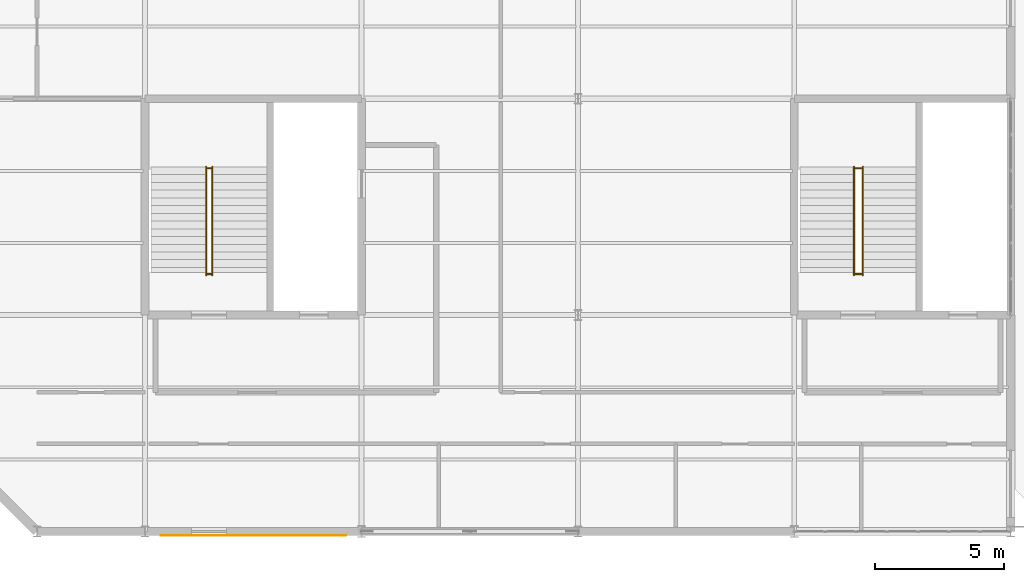
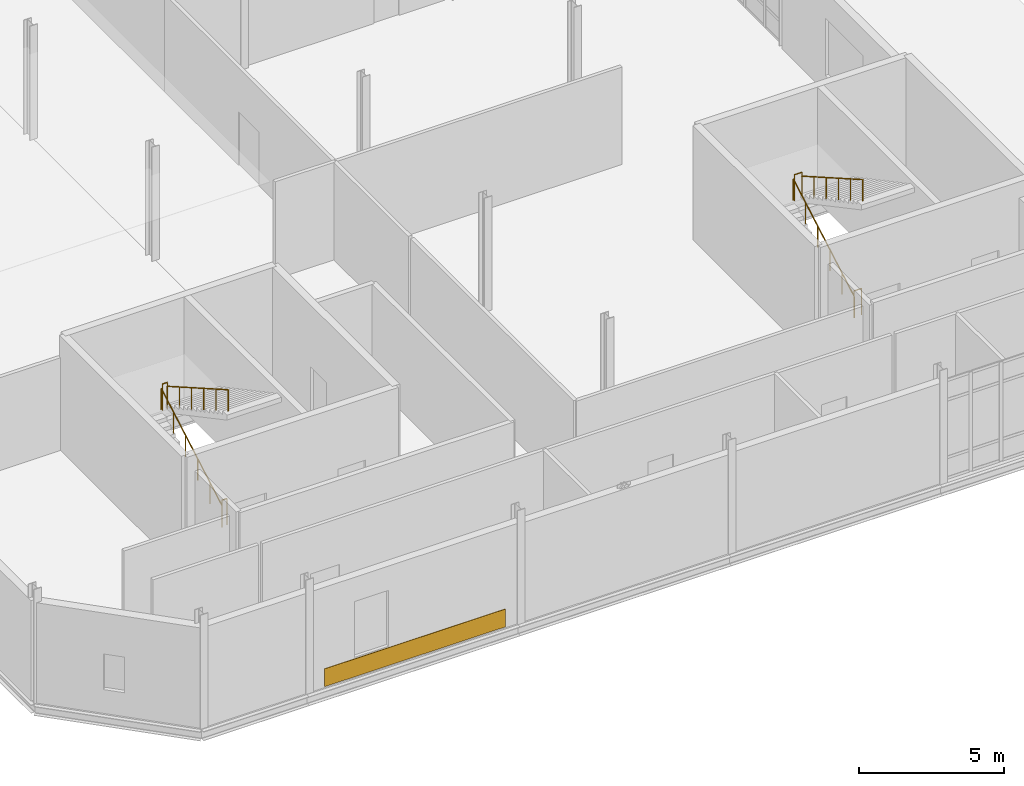
# One storey, part 27 of 28: 8 railings, 1 covering.
"""IFC4 building model written with IfcOpenShell, lengths in metres."""

from ifc_helpers import new_model, si_unit, direction, frame, origin, origin_2d, place, context, subcontext, project, spatial, rectangle, circle, extrude, material, layer, layer_set, type_object, element, save


model = new_model("IFC4")

# Units and contexts
model_context = context("Model", 3, precision=1e-05, world=origin(), true_north=direction((0.0, 1.0)))
body_context = subcontext(model_context, "Body", "Model", "MODEL_VIEW")
ifc_project = project(units=[si_unit("LENGTHUNIT", "METRE"), si_unit("AREAUNIT", "SQUARE_METRE"), si_unit("VOLUMEUNIT", "CUBIC_METRE"), si_unit("PLANEANGLEUNIT", "RADIAN"), si_unit("MASSUNIT", "GRAM", prefix="KILO")], contexts=[model_context])

# Site, building, storey
site_placement = place(None, origin())
site = spatial("IfcSite", under=ifc_project, at=site_placement, CompositionType="ELEMENT")
building_placement = place(site_placement, origin())
building = spatial("IfcBuilding", under=site, at=building_placement, Name="Qalvenar Corner Mobility Hub", CompositionType="ELEMENT")
storey_placement = place(building_placement, frame((0.0, 0.0, 21.60009765625)))
storey = spatial("IfcBuildingStorey", under=building, at=storey_placement, Name="L05", CompositionType="ELEMENT", Elevation=21.60009765625)

# Covering
ifc_material_1 = material(Name="Kashikari Glazed Turquoise Faience Tile Cladding", Category="masonry")
ifc_layer = layer(ifc_material_1, 0.034912109375)
ifc_layer_set = layer_set([ifc_layer], Name="Kashikari Glazed Turquoise Faience Tile Cladding")
covering_type = type_object("IfcCoveringType", Name="COV-CLAD-FAI", PredefinedType="CLADDING", material=ifc_layer_set)
covering_placement = place(storey_placement, frame((12.60009765625, -0.155029296875, 0.044921875), z_axis=(0.0, 0.0, 1.0), x_axis=(1.0, 0.0, 0.0)))
element("IfcCovering", 1, at=covering_placement, inside=storey, type_object=covering_type, Name="Kashikari Faience Spandrel V3-L05-S1", PredefinedType="CLADDING", context=body_context, shape_type="SweptSolid", body=[
    extrude(rectangle(XDim=7.199951171875, YDim=0.034912109375, at=origin_2d()), origin(), (0.0, 0.0, 1.0), 0.75),
])

# Railings
ifc_material_2 = material(Name="Art Nouveau Bronze-Finished Steel Balustrade", Category="steel")
railing_type_1 = type_object("IfcRailingType", Name="RL-GUARD-110", PredefinedType="GUARDRAIL", material=ifc_material_2)
for number, where, name in (
    (2, (10.7900390625, 10.0, 0.0), "Stair Arrival Slot Guard C1-L05"),
    (3, (10.7900390625, 14.10009765625, 2.39990234375), "Stair Half-Landing Well Guard ST1-L05"),
):
    element("IfcRailing", number, at=place(storey_placement, frame(where)), inside=storey, type_object=railing_type_1, Name=name, PredefinedType="GUARDRAIL", context=body_context, shape_type="SweptSolid", body=[
        extrude(circle(Radius=0.02392578125, at=origin_2d()), frame((0.0, 0.0, 1.09619140625), z_axis=(1.0, 0.0, 0.0), x_axis=(0.0, 1.0, 0.0)), (0.0, 0.0, 1.0), 0.199951171875),
        extrude(circle(Radius=0.02099609375, at=origin_2d()), origin(), (0.0, 0.0, 1.0), 1.072021484375),
        extrude(circle(Radius=0.02099609375, at=origin_2d()), frame((0.199951171875, 0.0, 0.0)), (0.0, 0.0, 1.0), 1.072021484375),
    ])
for number, where, name in (
    (4, (35.93994140625, 10.0, 0.0), "Stair Arrival Slot Guard C2-L05"),
    (5, (35.93994140625, 14.10009765625, 2.39990234375), "Stair Half-Landing Well Guard ST2-L05"),
):
    element("IfcRailing", number, at=place(storey_placement, frame(where)), inside=storey, type_object=railing_type_1, Name=name, PredefinedType="GUARDRAIL", context=body_context, shape_type="SweptSolid", body=[
        extrude(circle(Radius=0.02392578125, at=origin_2d()), frame((0.0, 0.0, 1.09619140625), z_axis=(1.0, 0.0, 0.0), x_axis=(0.0, 1.0, 0.0)), (0.0, 0.0, 1.0), 0.300048828125),
        extrude(circle(Radius=0.02099609375, at=origin_2d()), origin(), (0.0, 0.0, 1.0), 1.072021484375),
        extrude(circle(Radius=0.02099609375, at=origin_2d()), frame((0.300048828125, 0.0, 0.0)), (0.0, 0.0, 1.0), 1.072021484375),
    ])
ifc_material_3 = material(Name="Brushed Stainless Steel Handrail", Category="steel")
railing_type_2 = type_object("IfcRailingType", Name="RL-HAND-092", PredefinedType="HANDRAIL", material=ifc_material_3)
railing_1_placement = place(storey_placement, frame((10.77001953125, 9.949951171875, 0.0)))
element("IfcRailing", 6, at=railing_1_placement, inside=storey, type_object=railing_type_2, Name="Stair Handrail ST1-L05-1", PredefinedType="HANDRAIL", context=body_context, shape_type="SweptSolid", body=[
    extrude(circle(Radius=0.02392578125, at=origin_2d()), frame((0.0, 0.0, 0.89599609375), z_axis=(0.0, 0.868249353848, 0.496128067682), x_axis=(-1.0, 0.0, 0.0)), (0.0, 0.0, 1.0), 4.837158203125),
    extrude(circle(Radius=0.02099609375, at=origin_2d()), origin(), (0.0, 0.0, 1.0), 0.871826171875),
    extrude(circle(Radius=0.02099609375, at=origin_2d()), frame((0.0, 0.840087890625, 0.47998046875)), (0.0, 0.0, 1.0), 0.871826171875),
    extrude(circle(Radius=0.02099609375, at=origin_2d()), frame((0.0, 1.679931640625, 0.9599609375)), (0.0, 0.0, 1.0), 0.871826171875),
    extrude(circle(Radius=0.02099609375, at=origin_2d()), frame((0.0, 2.52001953125, 1.43994140625)), (0.0, 0.0, 1.0), 0.871826171875),
    extrude(circle(Radius=0.02099609375, at=origin_2d()), frame((0.0, 3.35986328125, 1.919921875)), (0.0, 0.0, 1.0), 0.871826171875),
    extrude(circle(Radius=0.02099609375, at=origin_2d()), frame((0.0, 4.199951171875, 2.39990234375)), (0.0, 0.0, 1.0), 0.871826171875),
])
railing_2_placement = place(storey_placement, frame((11.010009765625, 14.14990234375, 2.39990234375)))
element("IfcRailing", 7, at=railing_2_placement, inside=storey, type_object=railing_type_2, Name="Stair Handrail ST1-L05-2", PredefinedType="HANDRAIL", context=body_context, shape_type="SweptSolid", body=[
    extrude(circle(Radius=0.02392578125, at=origin_2d()), frame((0.0, 0.0, 0.89599609375), z_axis=(0.0, -0.868249353848, 0.496128067682), x_axis=(1.0, 0.0, 0.0)), (0.0, 0.0, 1.0), 4.837158203125),
    extrude(circle(Radius=0.02099609375, at=origin_2d()), origin(), (0.0, 0.0, 1.0), 0.871826171875),
    extrude(circle(Radius=0.02099609375, at=origin_2d()), frame((0.0, -0.840087890625, 0.47998046875)), (0.0, 0.0, 1.0), 0.871826171875),
    extrude(circle(Radius=0.02099609375, at=origin_2d()), frame((0.0, -1.679931640625, 0.9599609375)), (0.0, 0.0, 1.0), 0.871826171875),
    extrude(circle(Radius=0.02099609375, at=origin_2d()), frame((0.0, -2.52001953125, 1.43994140625)), (0.0, 0.0, 1.0), 0.871826171875),
    extrude(circle(Radius=0.02099609375, at=origin_2d()), frame((0.0, -3.35986328125, 1.919921875)), (0.0, 0.0, 1.0), 0.871826171875),
    extrude(circle(Radius=0.02099609375, at=origin_2d()), frame((0.0, -4.199951171875, 2.39990234375)), (0.0, 0.0, 1.0), 0.871826171875),
])
railing_3_placement = place(storey_placement, frame((35.919921875, 9.949951171875, 0.0)))
element("IfcRailing", 8, at=railing_3_placement, inside=storey, type_object=railing_type_2, Name="Stair Handrail ST2-L05-1", PredefinedType="HANDRAIL", context=body_context, shape_type="SweptSolid", body=[
    extrude(circle(Radius=0.02392578125, at=origin_2d()), frame((0.0, 0.0, 0.89599609375), z_axis=(0.0, 0.868249353848, 0.496128067682), x_axis=(-1.0, 0.0, 0.0)), (0.0, 0.0, 1.0), 4.837158203125),
    extrude(circle(Radius=0.02099609375, at=origin_2d()), origin(), (0.0, 0.0, 1.0), 0.871826171875),
    extrude(circle(Radius=0.02099609375, at=origin_2d()), frame((0.0, 0.840087890625, 0.47998046875)), (0.0, 0.0, 1.0), 0.871826171875),
    extrude(circle(Radius=0.02099609375, at=origin_2d()), frame((0.0, 1.679931640625, 0.9599609375)), (0.0, 0.0, 1.0), 0.871826171875),
    extrude(circle(Radius=0.02099609375, at=origin_2d()), frame((0.0, 2.52001953125, 1.43994140625)), (0.0, 0.0, 1.0), 0.871826171875),
    extrude(circle(Radius=0.02099609375, at=origin_2d()), frame((0.0, 3.35986328125, 1.919921875)), (0.0, 0.0, 1.0), 0.871826171875),
    extrude(circle(Radius=0.02099609375, at=origin_2d()), frame((0.0, 4.199951171875, 2.39990234375)), (0.0, 0.0, 1.0), 0.871826171875),
])
railing_4_placement = place(storey_placement, frame((36.260009765625, 14.14990234375, 2.39990234375)))
element("IfcRailing", 9, at=railing_4_placement, inside=storey, type_object=railing_type_2, Name="Stair Handrail ST2-L05-2", PredefinedType="HANDRAIL", context=body_context, shape_type="SweptSolid", body=[
    extrude(circle(Radius=0.02392578125, at=origin_2d()), frame((0.0, 0.0, 0.89599609375), z_axis=(0.0, -0.868249353848, 0.496128067682), x_axis=(1.0, 0.0, 0.0)), (0.0, 0.0, 1.0), 4.837158203125),
    extrude(circle(Radius=0.02099609375, at=origin_2d()), origin(), (0.0, 0.0, 1.0), 0.871826171875),
    extrude(circle(Radius=0.02099609375, at=origin_2d()), frame((0.0, -0.840087890625, 0.47998046875)), (0.0, 0.0, 1.0), 0.871826171875),
    extrude(circle(Radius=0.02099609375, at=origin_2d()), frame((0.0, -1.679931640625, 0.9599609375)), (0.0, 0.0, 1.0), 0.871826171875),
    extrude(circle(Radius=0.02099609375, at=origin_2d()), frame((0.0, -2.52001953125, 1.43994140625)), (0.0, 0.0, 1.0), 0.871826171875),
    extrude(circle(Radius=0.02099609375, at=origin_2d()), frame((0.0, -3.35986328125, 1.919921875)), (0.0, 0.0, 1.0), 0.871826171875),
    extrude(circle(Radius=0.02099609375, at=origin_2d()), frame((0.0, -4.199951171875, 2.39990234375)), (0.0, 0.0, 1.0), 0.871826171875),
])

save(model, "model.ifc")
